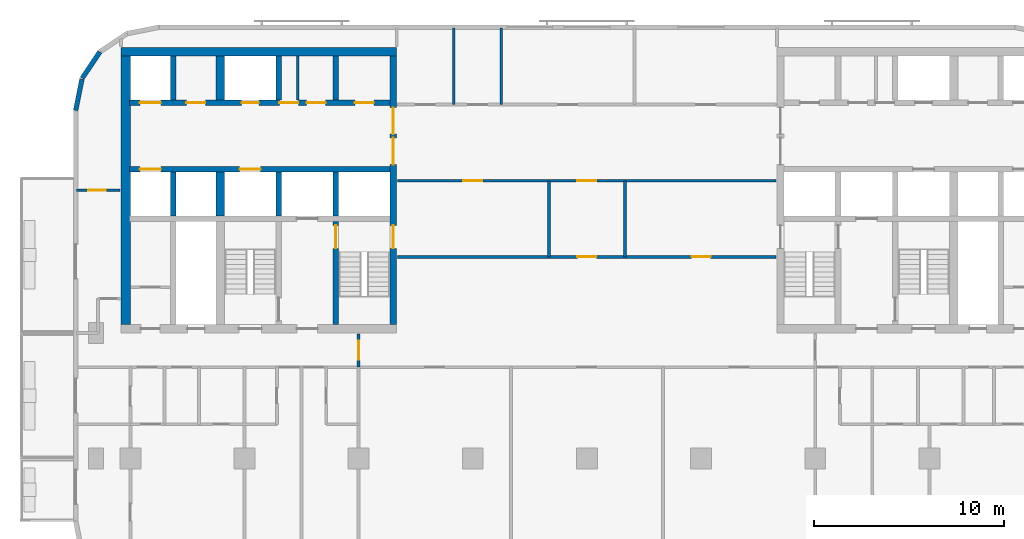
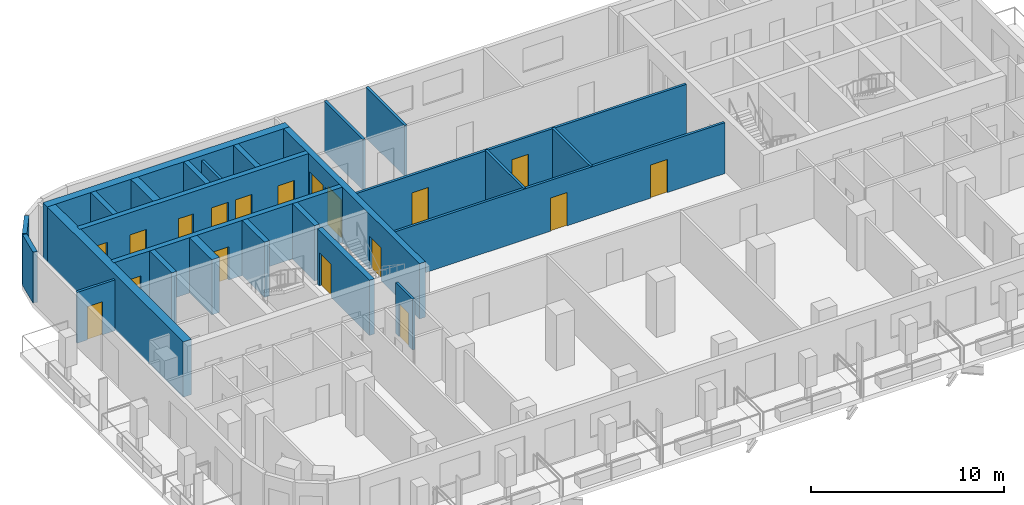
# One storey, part 4 of 11: 25 walls, 18 doors, 18 openings.
"""IFC4 building model written with IfcOpenShell, lengths in metres."""

from ifc_helpers import new_model, si_unit, direction, frame, frame_2d, origin, place, context, subcontext, project, spatial, rectangle, extrude, material, layer, layer_set, type_object, element, fill, save


model = new_model("IFC4")

# Units and contexts
model_context = context("Model", 3, precision=1e-05, world=origin(), true_north=direction((0.0, 1.0)))
body_context = subcontext(model_context, "Body", "Model", "MODEL_VIEW")
ifc_project = project(units=[si_unit("LENGTHUNIT", "METRE"), si_unit("AREAUNIT", "SQUARE_METRE"), si_unit("VOLUMEUNIT", "CUBIC_METRE"), si_unit("PLANEANGLEUNIT", "RADIAN"), si_unit("MASSUNIT", "GRAM", prefix="KILO")], contexts=[model_context])

# Site, building, storey
site_placement = place(None, origin())
site = spatial("IfcSite", under=ifc_project, at=site_placement, CompositionType="ELEMENT")
building_placement = place(site_placement, origin())
building = spatial("IfcBuilding", under=site, at=building_placement, Name="Torana Hotel and Residences", CompositionType="ELEMENT")
storey_placement = place(building_placement, frame((0.0, 0.0, 183.60009765625)))
storey = spatial("IfcBuildingStorey", under=building, at=storey_placement, Name="L47", CompositionType="ELEMENT", Elevation=183.60009765625)

# Wall, openings, doors
ifc_material_1 = material(Name="Concrete C70/85", Category="concrete")
ifc_layer_1 = layer(ifc_material_1, 0.300048828125)
ifc_layer_set_1 = layer_set([ifc_layer_1], Name="CORE WALL 300 C70/85")
wall_type_1 = type_object("IfcWallType", Name="CORE WALL 300 C70/85", PredefinedType="SHEAR", material=ifc_layer_set_1)
wall_1_placement = place(storey_placement, frame((-24.050048828125, -2.89990234375, 0.0), z_axis=(0.0, 0.0, 1.0), x_axis=(1.0, 0.0, 0.0)))
wall_1 = element("IfcWall", 1, at=wall_1_placement, inside=storey, type_object=wall_type_1, Name="Core wall W row-N", PredefinedType="SHEAR", context=body_context, shape_type="SweptSolid", body=[
    extrude(rectangle(XDim=13.699951171875, YDim=0.300048828125, at=frame_2d((6.85009765625, 0.0))), origin(), (0.0, 0.0, 1.0), 3.5),
])
opening_1_placement = place(wall_1_placement, frame((0.550048828125, 0.0, 0.0)))
opening_1 = element("IfcOpeningElement", 2, at=opening_1_placement, cuts=wall_1, Name="Opening LD", PredefinedType="OPENING", context=body_context, shape_type="SweptSolid", body=[
    extrude(rectangle(XDim=1.10009765625, YDim=2.10009765625, at=frame_2d((0.550048828125, 1.050048828125))), frame((0.0, 0.159912109375, 0.0), z_axis=(0.0, -1.0, 0.0), x_axis=(1.0, 0.0, 0.0)), (0.0, 0.0, 1.0), 0.320068359375),
])
opening_2_placement = place(wall_1_placement, frame((5.89990234375, 0.0, 0.0)))
opening_2 = element("IfcOpeningElement", 3, at=opening_2_placement, cuts=wall_1, Name="Opening L47-08", PredefinedType="OPENING", context=body_context, shape_type="SweptSolid", body=[
    extrude(rectangle(XDim=0.89990234375, YDim=2.10009765625, at=frame_2d((0.449951171875, 1.050048828125))), frame((0.0, 0.159912109375, 0.0), z_axis=(0.0, -1.0, 0.0), x_axis=(1.0, 0.0, 0.0)), (0.0, 0.0, 1.0), 0.320068359375),
])
opening_3_placement = place(wall_1_placement, frame((11.85009765625, 0.0, 0.0)))
opening_3 = element("IfcOpeningElement", 4, at=opening_3_placement, cuts=wall_1, Name="Opening L47-09", PredefinedType="OPENING", context=body_context, shape_type="SweptSolid", body=[
    extrude(rectangle(XDim=1.0, YDim=2.10009765625, at=frame_2d((0.5, 1.050048828125))), frame((0.0, 0.159912109375, 0.0), z_axis=(0.0, -1.0, 0.0), x_axis=(1.0, 0.0, 0.0)), (0.0, 0.0, 1.0), 0.320068359375),
])
opening_4_placement = place(wall_1_placement, frame((9.3125, 0.0, 0.0)))
opening_4 = element("IfcOpeningElement", 5, at=opening_4_placement, cuts=wall_1, Name="Opening L47-10", PredefinedType="OPENING", context=body_context, shape_type="SweptSolid", body=[
    extrude(rectangle(XDim=1.0, YDim=2.10009765625, at=frame_2d((0.5, 1.050048828125))), frame((0.0, 0.159912109375, 0.0), z_axis=(0.0, -1.0, 0.0), x_axis=(1.0, 0.0, 0.0)), (0.0, 0.0, 1.0), 0.320068359375),
])
opening_5_placement = place(wall_1_placement, frame((7.887451171875, 0.0, 0.0)))
opening_5 = element("IfcOpeningElement", 6, at=opening_5_placement, cuts=wall_1, Name="Opening L47-11", PredefinedType="OPENING", context=body_context, shape_type="SweptSolid", body=[
    extrude(rectangle(XDim=1.0, YDim=2.10009765625, at=frame_2d((0.5, 1.050048828125))), frame((0.0, 0.159912109375, 0.0), z_axis=(0.0, -1.0, 0.0), x_axis=(1.0, 0.0, 0.0)), (0.0, 0.0, 1.0), 0.320068359375),
])
opening_6_placement = place(wall_1_placement, frame((3.0, 0.0, 0.0)))
opening_6 = element("IfcOpeningElement", 7, at=opening_6_placement, cuts=wall_1, Name="Opening L47-12", PredefinedType="OPENING", context=body_context, shape_type="SweptSolid", body=[
    extrude(rectangle(XDim=1.0, YDim=2.10009765625, at=frame_2d((0.5, 1.050048828125))), frame((0.0, 0.159912109375, 0.0), z_axis=(0.0, -1.0, 0.0), x_axis=(1.0, 0.0, 0.0)), (0.0, 0.0, 1.0), 0.320068359375),
])
ifc_material_2 = material(Name="Steel S235", Category="steel")
door_type_1 = type_object("IfcDoorType", Name="CORE ROOM FIRE DOOR D14 1000x2100", OperationType="SINGLE_SWING_LEFT", PredefinedType="DOOR", material=ifc_material_2)
door_1_placement = place(opening_3_placement, origin())
door_1 = element("IfcDoor", 8, at=door_1_placement, inside=storey, type_object=door_type_1, Name="N0 door L47", OperationType="SINGLE_SWING_RIGHT", OverallHeight=2.10009765625, OverallWidth=1.0, PredefinedType="DOOR", context=body_context, shape_type="SweptSolid", body=[
    extrude(rectangle(XDim=1.0, YDim=2.10009765625, at=frame_2d((0.5, 1.050048828125))), frame((0.0, 0.02490234375, 0.0), z_axis=(0.0, -1.0, 0.0), x_axis=(1.0, 0.0, 0.0)), (0.0, 0.0, 1.0), 0.050048828125),
])
fill(opening_3, door_1)
door_2_placement = place(opening_4_placement, origin())
door_2 = element("IfcDoor", 9, at=door_2_placement, inside=storey, type_object=door_type_1, Name="N1A door L47", OperationType="SINGLE_SWING_RIGHT", OverallHeight=2.10009765625, OverallWidth=1.0, PredefinedType="DOOR", context=body_context, shape_type="SweptSolid", body=[
    extrude(rectangle(XDim=1.0, YDim=2.10009765625, at=frame_2d((0.5, 1.050048828125))), frame((0.0, 0.02490234375, 0.0), z_axis=(0.0, -1.0, 0.0), x_axis=(1.0, 0.0, 0.0)), (0.0, 0.0, 1.0), 0.050048828125),
])
fill(opening_4, door_2)
door_3_placement = place(opening_5_placement, origin())
door_3 = element("IfcDoor", 10, at=door_3_placement, inside=storey, type_object=door_type_1, Name="N1B door L47", OperationType="SINGLE_SWING_RIGHT", OverallHeight=2.10009765625, OverallWidth=1.0, PredefinedType="DOOR", context=body_context, shape_type="SweptSolid", body=[
    extrude(rectangle(XDim=1.0, YDim=2.10009765625, at=frame_2d((0.5, 1.050048828125))), frame((0.0, 0.02490234375, 0.0), z_axis=(0.0, -1.0, 0.0), x_axis=(1.0, 0.0, 0.0)), (0.0, 0.0, 1.0), 0.050048828125),
])
fill(opening_5, door_3)
door_4_placement = place(opening_6_placement, origin())
door_4 = element("IfcDoor", 11, at=door_4_placement, inside=storey, type_object=door_type_1, Name="Freed-S1 door L47", OperationType="SINGLE_SWING_RIGHT", OverallHeight=2.10009765625, OverallWidth=1.0, PredefinedType="DOOR", context=body_context, shape_type="SweptSolid", body=[
    extrude(rectangle(XDim=1.0, YDim=2.10009765625, at=frame_2d((0.5, 1.050048828125))), frame((0.0, 0.02490234375, 0.0), z_axis=(0.0, -1.0, 0.0), x_axis=(1.0, 0.0, 0.0)), (0.0, 0.0, 1.0), 0.050048828125),
])
fill(opening_6, door_4)
ifc_material_3 = material(Name="Stainless steel 316", Category="steel")
door_type_2 = type_object("IfcDoorType", Name="LIFT LANDING DOOR LD 1100x2100", OperationType="DOUBLE_DOOR_SLIDING", PredefinedType="USERDEFINED", material=ifc_material_3)
door_5_placement = place(opening_1_placement, origin())
door_5 = element("IfcDoor", 12, at=door_5_placement, inside=storey, type_object=door_type_2, Name="Lift landing door M1 L47", ObjectType="LIFT LANDING DOOR", OperationType="DOUBLE_DOOR_SLIDING", OverallHeight=2.10009765625, OverallWidth=1.10009765625, PredefinedType="USERDEFINED", context=body_context, shape_type="SweptSolid", body=[
    extrude(rectangle(XDim=1.10009765625, YDim=2.10009765625, at=frame_2d((0.550048828125, 1.050048828125))), frame((0.0, 0.02490234375, 0.0), z_axis=(0.0, -1.0, 0.0), x_axis=(1.0, 0.0, 0.0)), (0.0, 0.0, 1.0), 0.050048828125),
])
fill(opening_1, door_5)
ifc_material_4 = material(Name="Steel S235", Category="steel")
door_type_3 = type_object("IfcDoorType", Name="RISER ACCESS DOOR D5 900x2100", OperationType="SINGLE_SWING_LEFT", PredefinedType="DOOR", material=ifc_material_4)
door_6_placement = place(opening_2_placement, origin())
door_6 = element("IfcDoor", 13, at=door_6_placement, inside=storey, type_object=door_type_3, Name="N2 door L47", OperationType="SINGLE_SWING_RIGHT", OverallHeight=2.10009765625, OverallWidth=0.89990234375, PredefinedType="DOOR", context=body_context, shape_type="SweptSolid", body=[
    extrude(rectangle(XDim=0.89990234375, YDim=2.10009765625, at=frame_2d((0.449951171875, 1.050048828125))), frame((0.0, 0.02490234375, 0.0), z_axis=(0.0, -1.0, 0.0), x_axis=(1.0, 0.0, 0.0)), (0.0, 0.0, 1.0), 0.050048828125),
])
fill(opening_2, door_6)

wall_2_placement = place(storey_placement, frame((-24.050048828125, -6.39990234375, 0.0), z_axis=(0.0, 0.0, 1.0), x_axis=(1.0, 0.0, 0.0)))
wall_2 = element("IfcWall", 14, at=wall_2_placement, inside=storey, type_object=wall_type_1, Name="Core wall W row-S", PredefinedType="SHEAR", context=body_context, shape_type="SweptSolid", body=[
    extrude(rectangle(XDim=13.699951171875, YDim=0.300048828125, at=frame_2d((6.85009765625, 0.0))), origin(), (0.0, 0.0, 1.0), 3.5),
])
opening_7_placement = place(wall_2_placement, frame((0.550048828125, 0.0, 0.0)))
opening_7 = element("IfcOpeningElement", 15, at=opening_7_placement, cuts=wall_2, Name="Opening LD", PredefinedType="OPENING", context=body_context, shape_type="SweptSolid", body=[
    extrude(rectangle(XDim=1.10009765625, YDim=2.10009765625, at=frame_2d((0.550048828125, 1.050048828125))), frame((0.0, 0.159912109375, 0.0), z_axis=(0.0, -1.0, 0.0), x_axis=(1.0, 0.0, 0.0)), (0.0, 0.0, 1.0), 0.320068359375),
])
opening_8_placement = place(wall_2_placement, frame((5.800048828125, 0.0, 0.0)))
opening_8 = element("IfcOpeningElement", 16, at=opening_8_placement, cuts=wall_2, Name="Opening LD", PredefinedType="OPENING", context=body_context, shape_type="SweptSolid", body=[
    extrude(rectangle(XDim=1.10009765625, YDim=2.10009765625, at=frame_2d((0.550048828125, 1.050048828125))), frame((0.0, 0.159912109375, 0.0), z_axis=(0.0, -1.0, 0.0), x_axis=(1.0, 0.0, 0.0)), (0.0, 0.0, 1.0), 0.320068359375),
])
door_7_placement = place(opening_7_placement, origin())
door_7 = element("IfcDoor", 17, at=door_7_placement, inside=storey, type_object=door_type_2, Name="Lift landing door M2 L47", ObjectType="LIFT LANDING DOOR", OperationType="DOUBLE_DOOR_SLIDING", OverallHeight=2.10009765625, OverallWidth=1.10009765625, PredefinedType="USERDEFINED", context=body_context, shape_type="SweptSolid", body=[
    extrude(rectangle(XDim=1.10009765625, YDim=2.10009765625, at=frame_2d((0.550048828125, 1.050048828125))), frame((0.0, 0.02490234375, 0.0), z_axis=(0.0, -1.0, 0.0), x_axis=(1.0, 0.0, 0.0)), (0.0, 0.0, 1.0), 0.050048828125),
])
fill(opening_7, door_7)
door_8_placement = place(opening_8_placement, origin())
door_8 = element("IfcDoor", 18, at=door_8_placement, inside=storey, type_object=door_type_2, Name="Lift landing door SV1 L47", ObjectType="LIFT LANDING DOOR", OperationType="DOUBLE_DOOR_SLIDING", OverallHeight=2.10009765625, OverallWidth=1.10009765625, PredefinedType="USERDEFINED", context=body_context, shape_type="SweptSolid", body=[
    extrude(rectangle(XDim=1.10009765625, YDim=2.10009765625, at=frame_2d((0.550048828125, 1.050048828125))), frame((0.0, 0.02490234375, 0.0), z_axis=(0.0, -1.0, 0.0), x_axis=(1.0, 0.0, 0.0)), (0.0, 0.0, 1.0), 0.050048828125),
])
fill(opening_8, door_8)

# Walls
for number, where, z_axis, x_axis, name in (
    (19, (-13.199951171875, -2.75, 0.0), (0.0, 0.0, 1.0), (0.0, 1.0, 0.0), "Core wall W x3.05-N"),
    (20, (-13.199951171875, -8.85009765625, 0.0), (0.0, 0.0, 1.0), (0.0, 1.0, 0.0), "Core wall W x3.05-S"),
):
    element("IfcWall", number, at=place(storey_placement, frame(where, z_axis=z_axis, x_axis=x_axis)), inside=storey, type_object=wall_type_1, Name=name, PredefinedType="SHEAR", context=body_context, shape_type="SweptSolid", body=[
        extrude(rectangle(XDim=2.300048828125, YDim=0.300048828125, at=frame_2d((1.14990234375, 0.0))), origin(), (0.0, 0.0, 1.0), 3.5),
    ])

# Wall, opening, door
wall_3_placement = place(storey_placement, frame((-13.199951171875, -14.550048828125, 0.0), z_axis=(0.0, 0.0, 1.0), x_axis=(0.0, 1.0, 0.0)))
wall_3 = element("IfcWall", 21, at=wall_3_placement, inside=storey, type_object=wall_type_1, Name="Core wall W x3.05-band", PredefinedType="SHEAR", context=body_context, shape_type="SweptSolid", body=[
    extrude(rectangle(XDim=5.400146484375, YDim=0.300048828125, at=frame_2d((2.7001953125, 0.0))), origin(), (0.0, 0.0, 1.0), 3.5),
])
opening_9_placement = place(wall_3_placement, frame((4.0, 0.0, 0.0)))
opening_9 = element("IfcOpeningElement", 22, at=opening_9_placement, cuts=wall_3, Name="Opening L47-13", PredefinedType="OPENING", context=body_context, shape_type="SweptSolid", body=[
    extrude(rectangle(XDim=1.199951171875, YDim=2.10009765625, at=frame_2d((0.60009765625, 1.050048828125))), frame((0.0, 0.159912109375, 0.0), z_axis=(0.0, -1.0, 0.0), x_axis=(1.0, 0.0, 0.0)), (0.0, 0.0, 1.0), 0.320068359375),
])
ifc_material_5 = material(Name="Steel S235", Category="steel")
door_type_4 = type_object("IfcDoorType", Name="STAIR FIRE DOOR D3 1200x2100", OperationType="SINGLE_SWING_LEFT", PredefinedType="DOOR", material=ifc_material_5)
door_9_placement = place(opening_9_placement, frame((0.60009765625, 0.0, 0.0), z_axis=(0.0, 0.0, 1.0), x_axis=(-1.0, 0.0, 0.0)))
door_9 = element("IfcDoor", 23, at=door_9_placement, inside=storey, type_object=door_type_4, Name="Stair-A-lobby door L47", OperationType="SINGLE_SWING_RIGHT", OverallHeight=2.10009765625, OverallWidth=1.199951171875, PredefinedType="DOOR", context=body_context, shape_type="SweptSolid", body=[
    extrude(rectangle(XDim=1.199951171875, YDim=2.10009765625, at=frame_2d((0.0, 1.050048828125))), frame((0.0, -0.02490234375, 0.0), z_axis=(0.0, 1.0, 0.0), x_axis=(-1.0, 0.0, 0.0)), (0.0, 0.0, 1.0), 0.050048828125),
])
fill(opening_9, door_9)

# Walls
for number, where, z_axis, x_axis, name in (
    (24, (-16.199951171875, -2.75, 0.0), (0.0, 0.0, 1.0), (0.0, 1.0, 0.0), "Core wall W x6.05-N"),
    (25, (-16.199951171875, -8.85009765625, 0.0), (0.0, 0.0, 1.0), (0.0, 1.0, 0.0), "Core wall W x6.05-S"),
    (26, (-21.75, -2.75, 0.0), (0.0, 0.0, 1.0), (0.0, 1.0, 0.0), "Core wall W mm-N"),
    (27, (-21.75, -8.85009765625, 0.0), (0.0, 0.0, 1.0), (0.0, 1.0, 0.0), "Core wall W mm-S"),
):
    element("IfcWall", number, at=place(storey_placement, frame(where, z_axis=z_axis, x_axis=x_axis)), inside=storey, type_object=wall_type_1, Name=name, PredefinedType="SHEAR", context=body_context, shape_type="SweptSolid", body=[
        extrude(rectangle(XDim=2.300048828125, YDim=0.300048828125, at=frame_2d((1.14990234375, 0.0))), origin(), (0.0, 0.0, 1.0), 3.5),
    ])

# Wall, openings, doors
ifc_material_6 = material(Name="Concrete C70/85", Category="concrete")
ifc_layer_2 = layer(ifc_material_6, 0.35009765625)
ifc_layer_set_2 = layer_set([ifc_layer_2], Name="CORE WALL 350 C70/85")
wall_type_2 = type_object("IfcWallType", Name="CORE WALL 350 C70/85", PredefinedType="SHEAR", material=ifc_layer_set_2)
wall_4_placement = place(storey_placement, frame((-10.175048828125, -14.550048828125, 0.0), z_axis=(0.0, 0.0, 1.0), x_axis=(0.0, 1.0, 0.0)))
wall_4 = element("IfcWall", 28, at=wall_4_placement, inside=storey, type_object=wall_type_2, Name="Core wall W arch", PredefinedType="SHEAR", context=body_context, shape_type="SweptSolid", body=[
    extrude(rectangle(XDim=14.10009765625, YDim=0.35009765625, at=frame_2d((7.050048828125, 0.0))), origin(), (0.0, 0.0, 1.0), 3.5),
])
opening_10_placement = place(wall_4_placement, frame((8.39990234375, 0.0, 0.0)))
opening_10 = element("IfcOpeningElement", 29, at=opening_10_placement, cuts=wall_4, Name="Opening L47-01", PredefinedType="OPENING", context=body_context, shape_type="SweptSolid", body=[
    extrude(rectangle(XDim=1.39990234375, YDim=2.39990234375, at=frame_2d((0.699951171875, 1.199951171875))), frame((0.0, 0.18505859375, 0.0), z_axis=(0.0, -1.0, 0.0), x_axis=(1.0, 0.0, 0.0)), (0.0, 0.0, 1.0), 0.3701171875),
])
opening_11_placement = place(wall_4_placement, frame((10.0, 0.0, 0.0)))
opening_11 = element("IfcOpeningElement", 30, at=opening_11_placement, cuts=wall_4, Name="Opening L47-02", PredefinedType="OPENING", context=body_context, shape_type="SweptSolid", body=[
    extrude(rectangle(XDim=1.39990234375, YDim=2.39990234375, at=frame_2d((0.699951171875, 1.199951171875))), frame((0.0, 0.18505859375, 0.0), z_axis=(0.0, -1.0, 0.0), x_axis=(1.0, 0.0, 0.0)), (0.0, 0.0, 1.0), 0.3701171875),
])
opening_12_placement = place(wall_4_placement, frame((4.0, 0.0, 0.0)))
opening_12 = element("IfcOpeningElement", 31, at=opening_12_placement, cuts=wall_4, Name="Opening L47-03", PredefinedType="OPENING", context=body_context, shape_type="SweptSolid", body=[
    extrude(rectangle(XDim=1.199951171875, YDim=2.10009765625, at=frame_2d((0.60009765625, 1.050048828125))), frame((0.0, 0.18505859375, 0.0), z_axis=(0.0, -1.0, 0.0), x_axis=(1.0, 0.0, 0.0)), (0.0, 0.0, 1.0), 0.3701171875),
])
ifc_material_7 = material(Name="Steel S235", Category="steel")
door_type_5 = type_object("IfcDoorType", Name="LOBBY FIRE DOOR D4 1400x2400", OperationType="DOUBLE_DOOR_SINGLE_SWING", PredefinedType="DOOR", material=ifc_material_7)
door_10_placement = place(opening_10_placement, origin())
door_10 = element("IfcDoor", 32, at=door_10_placement, inside=storey, type_object=door_type_5, Name="Lobby-1 door L47", OperationType="DOUBLE_DOOR_SINGLE_SWING", OverallHeight=2.39990234375, OverallWidth=1.39990234375, PredefinedType="DOOR", context=body_context, shape_type="SweptSolid", body=[
    extrude(rectangle(XDim=1.39990234375, YDim=2.39990234375, at=frame_2d((0.699951171875, 1.199951171875))), frame((0.0, 0.02490234375, 0.0), z_axis=(0.0, -1.0, 0.0), x_axis=(1.0, 0.0, 0.0)), (0.0, 0.0, 1.0), 0.050048828125),
])
fill(opening_10, door_10)
door_11_placement = place(opening_11_placement, origin())
door_11 = element("IfcDoor", 33, at=door_11_placement, inside=storey, type_object=door_type_5, Name="Lobby-2 door L47", OperationType="DOUBLE_DOOR_SINGLE_SWING", OverallHeight=2.39990234375, OverallWidth=1.39990234375, PredefinedType="DOOR", context=body_context, shape_type="SweptSolid", body=[
    extrude(rectangle(XDim=1.39990234375, YDim=2.39990234375, at=frame_2d((0.699951171875, 1.199951171875))), frame((0.0, 0.02490234375, 0.0), z_axis=(0.0, -1.0, 0.0), x_axis=(1.0, 0.0, 0.0)), (0.0, 0.0, 1.0), 0.050048828125),
])
fill(opening_11, door_11)
door_12_placement = place(opening_12_placement, origin())
door_12 = element("IfcDoor", 34, at=door_12_placement, inside=storey, type_object=door_type_4, Name="Stair-A door L47", OperationType="SINGLE_SWING_LEFT", OverallHeight=2.10009765625, OverallWidth=1.199951171875, PredefinedType="DOOR", context=body_context, shape_type="SweptSolid", body=[
    extrude(rectangle(XDim=1.199951171875, YDim=2.10009765625, at=frame_2d((0.60009765625, 1.050048828125))), frame((0.0, 0.02490234375, 0.0), z_axis=(0.0, -1.0, 0.0), x_axis=(1.0, 0.0, 0.0)), (0.0, 0.0, 1.0), 0.050048828125),
])
fill(opening_12, door_12)

# Walls
ifc_material_8 = material(Name="Concrete C70/85", Category="concrete")
ifc_layer_3 = layer(ifc_material_8, 0.449951171875)
ifc_layer_set_3 = layer_set([ifc_layer_3], Name="CORE WALL 450 C70/85")
wall_type_3 = type_object("IfcWallType", Name="CORE WALL 450 C70/85", PredefinedType="SHEAR", material=ifc_layer_set_3)
wall_5_placement = place(storey_placement, frame((-24.5, -0.22509765625, 0.0), z_axis=(0.0, 0.0, 1.0), x_axis=(1.0, 0.0, 0.0)))
element("IfcWall", 35, at=wall_5_placement, inside=storey, type_object=wall_type_3, Name="Core wall W rear", PredefinedType="SHEAR", context=body_context, shape_type="SweptSolid", body=[
    extrude(rectangle(XDim=14.5, YDim=0.449951171875, at=frame_2d((7.25, 0.0))), origin(), (0.0, 0.0, 1.0), 3.5),
])
for number, where, z_axis, x_axis, name in (
    (36, (-19.27490234375, -2.75, 0.0), (0.0, 0.0, 1.0), (0.0, 1.0, 0.0), "Core wall W hm-N"),
    (37, (-19.27490234375, -8.85009765625, 0.0), (0.0, 0.0, 1.0), (0.0, 1.0, 0.0), "Core wall W hm-S"),
):
    element("IfcWall", number, at=place(storey_placement, frame(where, z_axis=z_axis, x_axis=x_axis)), inside=storey, type_object=wall_type_3, Name=name, PredefinedType="SHEAR", context=body_context, shape_type="SweptSolid", body=[
        extrude(rectangle(XDim=2.300048828125, YDim=0.449951171875, at=frame_2d((1.14990234375, 0.0))), origin(), (0.0, 0.0, 1.0), 3.5),
    ])
ifc_material_9 = material(Name="Concrete C70/85", Category="concrete")
ifc_layer_4 = layer(ifc_material_9, 0.5)
ifc_layer_set_4 = layer_set([ifc_layer_4], Name="CORE WALL 500 C70/85")
wall_type_4 = type_object("IfcWallType", Name="CORE WALL 500 C70/85", PredefinedType="SHEAR", material=ifc_layer_set_4)
wall_6_placement = place(storey_placement, frame((-24.25, -14.550048828125, 0.0), z_axis=(0.0, 0.0, 1.0), x_axis=(0.0, 1.0, 0.0)))
element("IfcWall", 38, at=wall_6_placement, inside=storey, type_object=wall_type_4, Name="Core wall W outer", PredefinedType="SHEAR", context=body_context, shape_type="SweptSolid", body=[
    extrude(rectangle(XDim=14.10009765625, YDim=0.5, at=frame_2d((7.050048828125, 0.0))), origin(), (0.0, 0.0, 1.0), 3.5),
])
ifc_material_10 = material(Name="Black aluminium composite panel", Category="aluminium")
ifc_layer_5 = layer(ifc_material_10, 0.00390625, Name="Cladding", Category="cladding")
ifc_material_11 = material(Name="Ventilated air cavity")
ifc_layer_6 = layer(ifc_material_11, 0.0400390625, Name="Ventilated cavity", Category="cavity")
ifc_material_12 = material(Name="Mineral wool insulation")
ifc_layer_7 = layer(ifc_material_12, 0.090087890625, Name="Insulation", Category="insulation")
ifc_material_13 = material(Name="Steel S280GD", Category="steel")
ifc_layer_8 = layer(ifc_material_13, 0.092041015625, Name="Steel stud frame", Category="structure")
ifc_material_14 = material(Name="Fire rated plasterboard")
ifc_layer_9 = layer(ifc_material_14, 0.011962890625, Name="Inner board", Category="finish")
ifc_layer_10 = layer(ifc_material_14, 0.011962890625, Name="Second board", Category="finish")
ifc_layer_set_5 = layer_set([ifc_layer_5, ifc_layer_6, ifc_layer_7, ifc_layer_8, ifc_layer_9, ifc_layer_10], Name="EW1 EXTERNAL WALL BLACK METAL CLAD 250")
wall_type_5 = type_object("IfcWallType", Name="EW1 EXTERNAL WALL BLACK METAL CLAD 250", PredefinedType="SOLIDWALL", material=ifc_layer_set_5)
wall_7_placement = place(storey_placement, frame((-25.605712890625, -0.228759765625, 0.0), z_axis=(0.0, 0.0, 1.0), x_axis=(-0.55555029066, -0.831482937015, 0.0)))
element("IfcWall", 39, at=wall_7_placement, inside=storey, type_object=wall_type_5, Name="External wall L47 e0.7", PredefinedType="SOLIDWALL", context=body_context, shape_type="SweptSolid", body=[
    extrude(rectangle(XDim=1.65625, YDim=0.25, at=frame_2d((0.828125, 0.0))), origin(), (0.0, 0.0, 1.0), 3.219970703125),
])
wall_8_placement = place(storey_placement, frame((-26.544677734375, -1.651123046875, 0.0), z_axis=(0.0, 0.0, 1.0), x_axis=(-0.194999110559, -0.980803419081, 0.0)))
element("IfcWall", 40, at=wall_8_placement, inside=storey, type_object=wall_type_5, Name="External wall L47 e0.8", PredefinedType="SOLIDWALL", context=body_context, shape_type="SweptSolid", body=[
    extrude(rectangle(XDim=1.681396484375, YDim=0.25, at=frame_2d((0.8408203125, 0.0))), origin(), (0.0, 0.0, 1.0), 3.219970703125),
])
ifc_material_15 = material(Name="Gypsum plaster")
ifc_layer_11 = layer(ifc_material_15, 0.014892578125, Name="Plaster", Category="finish")
ifc_material_16 = material(Name="Concrete blockwork", Category="masonry")
ifc_layer_12 = layer(ifc_material_16, 0.1201171875, Name="Blockwork", Category="structure")
ifc_layer_13 = layer(ifc_material_15, 0.014892578125, Name="Plaster", Category="finish")
ifc_layer_set_6 = layer_set([ifc_layer_11, ifc_layer_12, ifc_layer_13], Name="FIRE PARTITION 150 BLOCKWORK")
wall_type_6 = type_object("IfcWallType", Name="FIRE PARTITION 150 BLOCKWORK", PredefinedType="PARTITIONING", material=ifc_layer_set_6)
wall_9_placement = place(storey_placement, frame((-15.199951171875, -2.75, 0.0), z_axis=(0.0, 0.0, 1.0), x_axis=(0.0, 1.0, 0.0)))
element("IfcWall", 41, at=wall_9_placement, inside=storey, type_object=wall_type_6, Name="Core partition L47", PredefinedType="PARTITIONING", context=body_context, shape_type="SweptSolid", body=[
    extrude(rectangle(XDim=2.300048828125, YDim=0.14990234375, at=frame_2d((1.14990234375, 0.0))), origin(), (0.0, 0.0, 1.0), 3.199951171875),
])
for number, where, z_axis, x_axis, name in (
    (42, (2.0, -11.0, 0.0), (0.0, 0.0, 1.0), (0.0, 1.0, 0.0), "Partition L47"),
    (43, (-2.0, -11.0, 0.0), (0.0, 0.0, 1.0), (0.0, 1.0, 0.0), "Partition L47"),
):
    element("IfcWall", number, at=place(storey_placement, frame(where, z_axis=z_axis, x_axis=x_axis)), inside=storey, type_object=wall_type_6, Name=name, PredefinedType="PARTITIONING", context=body_context, shape_type="SweptSolid", body=[
        extrude(rectangle(XDim=4.0, YDim=0.14990234375, at=frame_2d((2.0, 0.0))), origin(), (0.0, 0.0, 1.0), 3.219970703125),
    ])

# Wall, opening, door
wall_10_placement = place(storey_placement, frame((-12.0, -16.800048828125, 0.0), z_axis=(0.0, 0.0, 1.0), x_axis=(0.0, 1.0, 0.0)))
wall_10 = element("IfcWall", 44, at=wall_10_placement, inside=storey, type_object=wall_type_6, Name="Partition L47", PredefinedType="PARTITIONING", context=body_context, shape_type="SweptSolid", body=[
    extrude(rectangle(XDim=1.75, YDim=0.14990234375, at=frame_2d((0.875, 0.0))), origin(), (0.0, 0.0, 1.0), 3.219970703125),
])
opening_13_placement = place(wall_10_placement, frame((0.39990234375, 0.0, 0.0)))
opening_13 = element("IfcOpeningElement", 45, at=opening_13_placement, cuts=wall_10, Name="Opening L47-31", PredefinedType="OPENING", context=body_context, shape_type="SweptSolid", body=[
    extrude(rectangle(XDim=1.0, YDim=2.10009765625, at=frame_2d((0.5, 1.050048828125))), frame((0.0, 0.0849609375, 0.0), z_axis=(0.0, -1.0, 0.0), x_axis=(1.0, 0.0, 0.0)), (0.0, 0.0, 1.0), 0.169921875),
])
ifc_material_17 = material(Name="Steel S235", Category="steel")
door_type_6 = type_object("IfcDoorType", Name="ENTRY FIRE DOOR D6 1000x2100", OperationType="SINGLE_SWING_LEFT", PredefinedType="DOOR", material=ifc_material_17)
door_13_placement = place(opening_13_placement, origin())
door_13 = element("IfcDoor", 46, at=door_13_placement, inside=storey, type_object=door_type_6, Name="Door L47", OperationType="SINGLE_SWING_RIGHT", OverallHeight=2.10009765625, OverallWidth=1.0, PredefinedType="DOOR", context=body_context, shape_type="SweptSolid", body=[
    extrude(rectangle(XDim=1.0, YDim=2.10009765625, at=frame_2d((0.5, 1.050048828125))), frame((0.0, 0.02490234375, 0.0), z_axis=(0.0, -1.0, 0.0), x_axis=(1.0, 0.0, 0.0)), (0.0, 0.0, 1.0), 0.050048828125),
])
fill(opening_13, door_13)

# Wall, openings, doors
wall_11_placement = place(storey_placement, frame((-9.949951171875, -11.0, 0.0), z_axis=(0.0, 0.0, 1.0), x_axis=(1.0, 0.0, 0.0)))
wall_11 = element("IfcWall", 47, at=wall_11_placement, inside=storey, type_object=wall_type_6, Name="Partition L47", PredefinedType="PARTITIONING", context=body_context, shape_type="SweptSolid", body=[
    extrude(rectangle(XDim=19.89990234375, YDim=0.14990234375, at=frame_2d((9.949951171875, 0.0))), origin(), (0.0, 0.0, 1.0), 3.219970703125),
])
opening_14_placement = place(wall_11_placement, frame((9.449951171875, 0.0, 0.0)))
opening_14 = element("IfcOpeningElement", 48, at=opening_14_placement, cuts=wall_11, Name="Opening L47-42", PredefinedType="OPENING", context=body_context, shape_type="SweptSolid", body=[
    extrude(rectangle(XDim=1.0, YDim=2.10009765625, at=frame_2d((0.5, 1.050048828125))), frame((0.0, 0.0849609375, 0.0), z_axis=(0.0, -1.0, 0.0), x_axis=(1.0, 0.0, 0.0)), (0.0, 0.0, 1.0), 0.169921875),
])
opening_15_placement = place(wall_11_placement, frame((15.449951171875, 0.0, 0.0)))
opening_15 = element("IfcOpeningElement", 49, at=opening_15_placement, cuts=wall_11, Name="Opening L47-46", PredefinedType="OPENING", context=body_context, shape_type="SweptSolid", body=[
    extrude(rectangle(XDim=1.0, YDim=2.10009765625, at=frame_2d((0.5, 1.050048828125))), frame((0.0, 0.0849609375, 0.0), z_axis=(0.0, -1.0, 0.0), x_axis=(1.0, 0.0, 0.0)), (0.0, 0.0, 1.0), 0.169921875),
])
door_14_placement = place(opening_14_placement, origin())
door_14 = element("IfcDoor", 50, at=door_14_placement, inside=storey, type_object=door_type_6, Name="Door L47", OperationType="SINGLE_SWING_RIGHT", OverallHeight=2.10009765625, OverallWidth=1.0, PredefinedType="DOOR", context=body_context, shape_type="SweptSolid", body=[
    extrude(rectangle(XDim=1.0, YDim=2.10009765625, at=frame_2d((0.5, 1.050048828125))), frame((0.0, 0.02490234375, 0.0), z_axis=(0.0, -1.0, 0.0), x_axis=(1.0, 0.0, 0.0)), (0.0, 0.0, 1.0), 0.050048828125),
])
fill(opening_14, door_14)
door_15_placement = place(opening_15_placement, origin())
door_15 = element("IfcDoor", 51, at=door_15_placement, inside=storey, type_object=door_type_6, Name="Door L47", OperationType="SINGLE_SWING_RIGHT", OverallHeight=2.10009765625, OverallWidth=1.0, PredefinedType="DOOR", context=body_context, shape_type="SweptSolid", body=[
    extrude(rectangle(XDim=1.0, YDim=2.10009765625, at=frame_2d((0.5, 1.050048828125))), frame((0.0, 0.02490234375, 0.0), z_axis=(0.0, -1.0, 0.0), x_axis=(1.0, 0.0, 0.0)), (0.0, 0.0, 1.0), 0.050048828125),
])
fill(opening_15, door_15)

wall_12_placement = place(storey_placement, frame((-9.949951171875, -7.0, 0.0), z_axis=(0.0, 0.0, 1.0), x_axis=(1.0, 0.0, 0.0)))
wall_12 = element("IfcWall", 52, at=wall_12_placement, inside=storey, type_object=wall_type_6, Name="Partition L47", PredefinedType="PARTITIONING", context=body_context, shape_type="SweptSolid", body=[
    extrude(rectangle(XDim=19.89990234375, YDim=0.14990234375, at=frame_2d((9.949951171875, 0.0))), origin(), (0.0, 0.0, 1.0), 3.219970703125),
])
opening_16_placement = place(wall_12_placement, frame((9.449951171875, 0.0, 0.0)))
opening_16 = element("IfcOpeningElement", 53, at=opening_16_placement, cuts=wall_12, Name="Opening L47-47", PredefinedType="OPENING", context=body_context, shape_type="SweptSolid", body=[
    extrude(rectangle(XDim=1.0, YDim=2.10009765625, at=frame_2d((0.5, 1.050048828125))), frame((0.0, 0.0849609375, 0.0), z_axis=(0.0, -1.0, 0.0), x_axis=(1.0, 0.0, 0.0)), (0.0, 0.0, 1.0), 0.169921875),
])
opening_17_placement = place(wall_12_placement, frame((3.449951171875, 0.0, 0.0)))
opening_17 = element("IfcOpeningElement", 54, at=opening_17_placement, cuts=wall_12, Name="Opening L47-48", PredefinedType="OPENING", context=body_context, shape_type="SweptSolid", body=[
    extrude(rectangle(XDim=1.0, YDim=2.10009765625, at=frame_2d((0.5, 1.050048828125))), frame((0.0, 0.0849609375, 0.0), z_axis=(0.0, -1.0, 0.0), x_axis=(1.0, 0.0, 0.0)), (0.0, 0.0, 1.0), 0.169921875),
])
door_16_placement = place(opening_16_placement, origin())
door_16 = element("IfcDoor", 55, at=door_16_placement, inside=storey, type_object=door_type_6, Name="Door L47", OperationType="SINGLE_SWING_RIGHT", OverallHeight=2.10009765625, OverallWidth=1.0, PredefinedType="DOOR", context=body_context, shape_type="SweptSolid", body=[
    extrude(rectangle(XDim=1.0, YDim=2.10009765625, at=frame_2d((0.5, 1.050048828125))), frame((0.0, 0.02490234375, 0.0), z_axis=(0.0, -1.0, 0.0), x_axis=(1.0, 0.0, 0.0)), (0.0, 0.0, 1.0), 0.050048828125),
])
fill(opening_16, door_16)
door_17_placement = place(opening_17_placement, frame((0.5, 0.0, 0.0), z_axis=(0.0, 0.0, 1.0), x_axis=(-1.0, 0.0, 0.0)))
door_17 = element("IfcDoor", 56, at=door_17_placement, inside=storey, type_object=door_type_6, Name="Door L47", OperationType="SINGLE_SWING_LEFT", OverallHeight=2.10009765625, OverallWidth=1.0, PredefinedType="DOOR", context=body_context, shape_type="SweptSolid", body=[
    extrude(rectangle(XDim=1.0, YDim=2.10009765625, at=frame_2d((0.0, 1.050048828125))), frame((0.0, -0.02490234375, 0.0), z_axis=(0.0, 1.0, 0.0), x_axis=(-1.0, 0.0, 0.0)), (0.0, 0.0, 1.0), 0.050048828125),
])
fill(opening_17, door_17)

# Wall, opening, door
ifc_material_18 = material(Name="Gypsum plasterboard")
ifc_layer_14 = layer(ifc_material_18, 0.012451171875, Name="Plasterboard", Category="finish")
ifc_layer_15 = layer(ifc_material_18, 0.012451171875, Name="Plasterboard", Category="finish")
ifc_layer_16 = layer(ifc_material_13, 0.10009765625, Name="Steel studs with mineral wool", Category="insulation")
ifc_layer_17 = layer(ifc_material_18, 0.012451171875, Name="Plasterboard", Category="finish")
ifc_layer_18 = layer(ifc_material_18, 0.012451171875, Name="Plasterboard", Category="finish")
ifc_layer_set_7 = layer_set([ifc_layer_14, ifc_layer_15, ifc_layer_16, ifc_layer_17, ifc_layer_18], Name="PARTITION 150 PLASTERBOARD")
wall_type_7 = type_object("IfcWallType", Name="PARTITION 150 PLASTERBOARD", PredefinedType="PARTITIONING", material=ifc_layer_set_7)
wall_13_placement = place(storey_placement, frame((-26.820068359375, -7.5, 0.0), z_axis=(0.0, 0.0, 1.0), x_axis=(1.0, 0.0, 0.0)))
wall_13 = element("IfcWall", 57, at=wall_13_placement, inside=storey, type_object=wall_type_7, Name="Partition L47", PredefinedType="PARTITIONING", context=body_context, shape_type="SweptSolid", body=[
    extrude(rectangle(XDim=2.27001953125, YDim=0.14990234375, at=frame_2d((1.135009765625, 0.0))), origin(), (0.0, 0.0, 1.0), 3.219970703125),
])
opening_18_placement = place(wall_13_placement, frame((0.6201171875, 0.0, 0.0)))
opening_18 = element("IfcOpeningElement", 58, at=opening_18_placement, cuts=wall_13, Name="Opening L47-66", PredefinedType="OPENING", context=body_context, shape_type="SweptSolid", body=[
    extrude(rectangle(XDim=0.89990234375, YDim=2.10009765625, at=frame_2d((0.449951171875, 1.050048828125))), frame((0.0, 0.0849609375, 0.0), z_axis=(0.0, -1.0, 0.0), x_axis=(1.0, 0.0, 0.0)), (0.0, 0.0, 1.0), 0.169921875),
])
ifc_material_19 = material(Name="Timber door, oiled ash", Category="wood")
door_type_7 = type_object("IfcDoorType", Name="ROOM DOOR D7 900x2100", OperationType="SINGLE_SWING_LEFT", PredefinedType="DOOR", material=ifc_material_19)
door_18_placement = place(opening_18_placement, origin())
door_18 = element("IfcDoor", 59, at=door_18_placement, inside=storey, type_object=door_type_7, Name="Door L47", OperationType="SINGLE_SWING_RIGHT", OverallHeight=2.10009765625, OverallWidth=0.89990234375, PredefinedType="DOOR", context=body_context, shape_type="SweptSolid", body=[
    extrude(rectangle(XDim=0.89990234375, YDim=2.10009765625, at=frame_2d((0.449951171875, 1.050048828125))), frame((0.0, 0.02490234375, 0.0), z_axis=(0.0, -1.0, 0.0), x_axis=(1.0, 0.0, 0.0)), (0.0, 0.0, 1.0), 0.050048828125),
])
fill(opening_18, door_18)

# Walls
ifc_material_20 = material(Name="Ceramic tile on adhesive")
ifc_layer_19 = layer(ifc_material_20, 0.010009765625, Name="Wall tile", Category="finish")
ifc_material_21 = material(Name="Cement render")
ifc_layer_20 = layer(ifc_material_21, 0.010009765625, Name="Render", Category="finish")
ifc_layer_21 = layer(ifc_material_16, 0.110107421875, Name="Blockwork", Category="structure")
ifc_layer_22 = layer(ifc_material_21, 0.010009765625, Name="Render", Category="finish")
ifc_layer_23 = layer(ifc_material_20, 0.010009765625, Name="Wall tile", Category="finish")
ifc_layer_set_8 = layer_set([ifc_layer_19, ifc_layer_20, ifc_layer_21, ifc_layer_22, ifc_layer_23], Name="WC PARTITION 150")
wall_type_8 = type_object("IfcWallType", Name="WC PARTITION 150", PredefinedType="PLUMBINGWALL", material=ifc_layer_set_8)
for number, where, z_axis, x_axis, name in (
    (60, (-4.5, -3.0, 0.0), (0.0, 0.0, 1.0), (0.0, 1.0, 0.0), "Partition L47"),
    (61, (-7.0, -3.0, 0.0), (0.0, 0.0, 1.0), (0.0, 1.0, 0.0), "Partition L47"),
):
    element("IfcWall", number, at=place(storey_placement, frame(where, z_axis=z_axis, x_axis=x_axis)), inside=storey, type_object=wall_type_8, Name=name, PredefinedType="PLUMBINGWALL", context=body_context, shape_type="SweptSolid", body=[
        extrude(rectangle(XDim=4.02001953125, YDim=0.14990234375, at=frame_2d((2.010009765625, 0.0))), origin(), (0.0, 0.0, 1.0), 3.219970703125),
    ])

save(model, "model.ifc")
